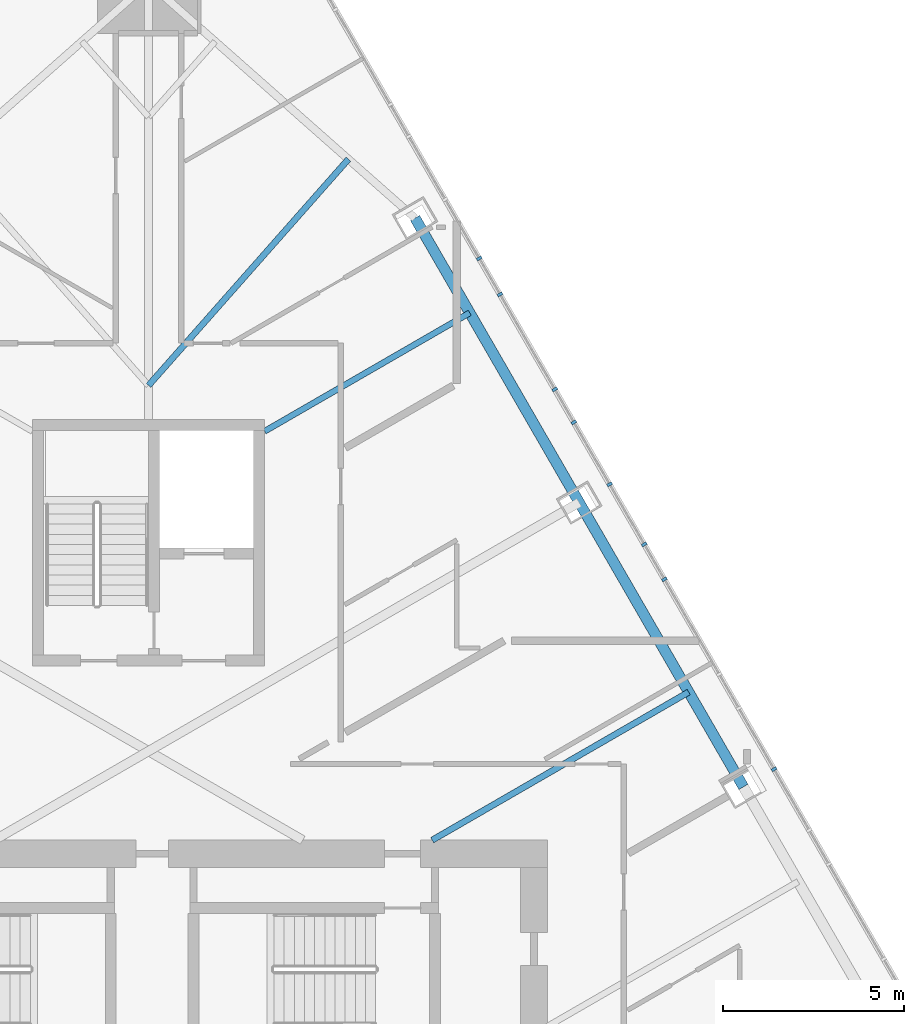
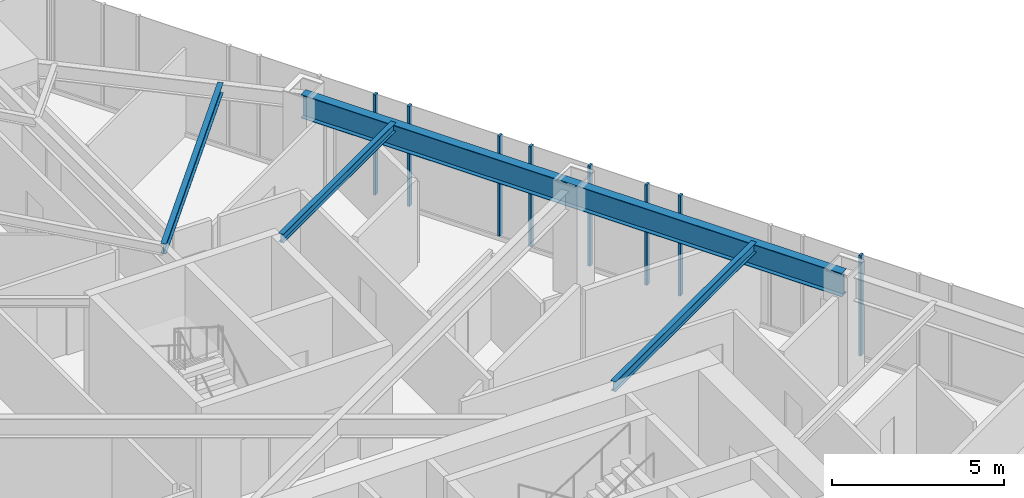
# One storey, part 11 of 32: 8 members, 4 beams, 1 element without a shape of its own.
"""IFC4 building model written with IfcOpenShell, lengths in metres."""

from ifc_helpers import new_model, si_unit, direction, frame, origin, origin_2d, place, context, subcontext, project, spatial, rectangle, i_section, extrude, material, layer, layer_set, material_profile, profile_set, type_object, element, aggregate, save


model = new_model("IFC4")

# Units and contexts
model_context = context("Model", 3, precision=1e-05, world=origin(), true_north=direction((0.0, 1.0)))
body_context = subcontext(model_context, "Body", "Model", "MODEL_VIEW")
ifc_project = project(units=[si_unit("LENGTHUNIT", "METRE"), si_unit("AREAUNIT", "SQUARE_METRE"), si_unit("VOLUMEUNIT", "CUBIC_METRE"), si_unit("PLANEANGLEUNIT", "RADIAN"), si_unit("MASSUNIT", "GRAM", prefix="KILO")], contexts=[model_context])

# Site, building, storey
site_placement = place(None, origin())
site = spatial("IfcSite", under=ifc_project, at=site_placement, CompositionType="ELEMENT")
building_placement = place(site_placement, origin())
building = spatial("IfcBuilding", under=site, at=building_placement, Name="Firuza Gate Tower and Library", CompositionType="ELEMENT")
storey_placement = place(building_placement, frame((0.0, 0.0, 163.60009765625)))
storey = spatial("IfcBuildingStorey", under=building, at=storey_placement, Name="L37", CompositionType="ELEMENT", Elevation=163.60009765625)

# Curtain wall, members
ifc_material_1 = material(Name="Aluminium 6063-T6", Category="aluminium")
ifc_layer = layer(ifc_material_1, 0.14990234375)
ifc_layer_set = layer_set([ifc_layer], Name="Unitised curtain wall, hotel")
curtain_wall_type = type_object("IfcCurtainWallType", Name="Unitised curtain wall, hotel", PredefinedType="NOTDEFINED", material=ifc_layer_set)
curtain_wall_placement = place(storey_placement, origin())
curtain_wall = element("IfcCurtainWall", 1, at=curtain_wall_placement, inside=storey, type_object=curtain_wall_type, Name="CW2 L37 E face", PredefinedType="NOTDEFINED")
ifc_material_2 = material(Name="Aluminium 6063-T6", Category="aluminium")
ifc_material_profile_1 = material_profile(ifc_material_2, rectangle(XDim=0.14990234375, YDim=0.080078125, at=origin_2d()))
ifc_profile_set_1 = profile_set([ifc_material_profile_1], Name="Aluminium 6063-T6")
member_type = type_object("IfcMemberType", Name="Curtain wall mullion 80x150", PredefinedType="MULLION", material=ifc_profile_set_1)
member_1_placement = place(storey_placement, frame((92.245849609375, 84.95703125, 0.14990234375), z_axis=(0.0, 0.0, 1.0), x_axis=(-0.866025403784, -0.5, 0.0)))
member_1 = element("IfcMember", 2, at=member_1_placement, type_object=member_type, Name="Mullion", PredefinedType="MULLION", context=body_context, shape_type="SweptSolid", body=[
    extrude(rectangle(XDim=0.14990234375, YDim=0.080078125, at=origin_2d()), origin(), (0.0, 0.0, 1.0), 3.550048828125),
])
member_2_placement = place(storey_placement, frame((89.22314453125, 90.192626953125, 0.14990234375), z_axis=(0.0, 0.0, 1.0), x_axis=(-0.866025403784, -0.5, 0.0)))
member_2 = element("IfcMember", 3, at=member_2_placement, type_object=member_type, Name="Mullion", PredefinedType="MULLION", context=body_context, shape_type="SweptSolid", body=[
    extrude(rectangle(XDim=0.14990234375, YDim=0.080078125, at=origin_2d()), origin(), (0.0, 0.0, 1.0), 3.550048828125),
])
member_3_placement = place(storey_placement, frame((87.711669921875, 92.810302734375, 0.14990234375), z_axis=(0.0, 0.0, 1.0), x_axis=(-0.866025403784, -0.5, 0.0)))
member_3 = element("IfcMember", 4, at=member_3_placement, type_object=member_type, Name="Mullion", PredefinedType="MULLION", context=body_context, shape_type="SweptSolid", body=[
    extrude(rectangle(XDim=0.14990234375, YDim=0.080078125, at=origin_2d()), origin(), (0.0, 0.0, 1.0), 3.550048828125),
])
member_4_placement = place(storey_placement, frame((86.2001953125, 95.42822265625, 0.14990234375), z_axis=(0.0, 0.0, 1.0), x_axis=(-0.866025403784, -0.5, 0.0)))
member_4 = element("IfcMember", 5, at=member_4_placement, type_object=member_type, Name="Mullion", PredefinedType="MULLION", context=body_context, shape_type="SweptSolid", body=[
    extrude(rectangle(XDim=0.14990234375, YDim=0.080078125, at=origin_2d()), origin(), (0.0, 0.0, 1.0), 3.550048828125),
])
member_5_placement = place(storey_placement, frame((84.68896484375, 98.046142578125, 0.14990234375), z_axis=(0.0, 0.0, 1.0), x_axis=(-0.866025403784, -0.5, 0.0)))
member_5 = element("IfcMember", 6, at=member_5_placement, type_object=member_type, Name="Mullion", PredefinedType="MULLION", context=body_context, shape_type="SweptSolid", body=[
    extrude(rectangle(XDim=0.14990234375, YDim=0.080078125, at=origin_2d()), origin(), (0.0, 0.0, 1.0), 3.550048828125),
])
member_6_placement = place(storey_placement, frame((88.666748046875, 91.156494140625, 0.14990234375), z_axis=(0.0, 0.0, 1.0), x_axis=(-0.866025403784, -0.5, 0.0)))
member_6 = element("IfcMember", 7, at=member_6_placement, type_object=member_type, Name="Mullion", PredefinedType="MULLION", context=body_context, shape_type="SweptSolid", body=[
    extrude(rectangle(XDim=0.14990234375, YDim=0.080078125, at=origin_2d()), origin(), (0.0, 0.0, 1.0), 3.550048828125),
])
member_7_placement = place(storey_placement, frame((86.72509765625, 94.51904296875, 0.14990234375), z_axis=(0.0, 0.0, 1.0), x_axis=(-0.866025403784, -0.5, 0.0)))
member_7 = element("IfcMember", 8, at=member_7_placement, type_object=member_type, Name="Mullion", PredefinedType="MULLION", context=body_context, shape_type="SweptSolid", body=[
    extrude(rectangle(XDim=0.14990234375, YDim=0.080078125, at=origin_2d()), origin(), (0.0, 0.0, 1.0), 3.550048828125),
])
member_8_placement = place(storey_placement, frame((84.11669921875, 99.037353515625, 0.14990234375), z_axis=(0.0, 0.0, 1.0), x_axis=(-0.866025403784, -0.5, 0.0)))
member_8 = element("IfcMember", 9, at=member_8_placement, type_object=member_type, Name="Mullion", PredefinedType="MULLION", context=body_context, shape_type="SweptSolid", body=[
    extrude(rectangle(XDim=0.14990234375, YDim=0.080078125, at=origin_2d()), origin(), (0.0, 0.0, 1.0), 3.550048828125),
])
aggregate(curtain_wall, [member_1, member_2, member_3, member_4, member_5, member_6, member_7, member_8])

# Beams
ifc_material_3 = material(Name="Steel S355", Category="steel")
ifc_material_profile_2 = material_profile(ifc_material_3, i_section(OverallWidth=0.1650390625, OverallDepth=0.31005859375, WebThickness=0.005859375, FlangeThickness=0.009765625, at=origin_2d()))
ifc_profile_set_2 = profile_set([ifc_material_profile_2], Name="Steel S355")
beam_type_1 = type_object("IfcBeamType", Name="W310x39 Floor beam", PredefinedType="JOIST", material=ifc_profile_set_2)
beam_1_placement = place(storey_placement, frame((83.8564453125, 97.537841796875, 3.544921875), z_axis=(-0.866019389049, -0.500010417683, 0.0), x_axis=(0.500010417683, -0.866019389049, 0.0)))
element("IfcBeam", 10, at=beam_1_placement, inside=storey, type_object=beam_type_1, Name="Floor beam L37 s55", PredefinedType="JOIST", context=body_context, shape_type="SweptSolid", body=[
    extrude(i_section(OverallWidth=0.1650390625, OverallDepth=0.31005859375, WebThickness=0.005859375, FlangeThickness=0.009765625, at=origin_2d()), origin(), (0.0, 0.0, 1.0), 6.531494140625),
])
ifc_material_4 = material(Name="Steel S355", Category="steel")
ifc_material_profile_3 = material_profile(ifc_material_4, i_section(OverallWidth=0.1708984375, OverallDepth=0.35498046875, WebThickness=0.007080078125, FlangeThickness=0.01171875, at=origin_2d()))
ifc_profile_set_3 = profile_set([ifc_material_profile_3], Name="Steel S355")
beam_type_2 = type_object("IfcBeamType", Name="W360x51 Floor beam", PredefinedType="JOIST", material=ifc_profile_set_3)
beam_2_placement = place(storey_placement, frame((89.892578125, 87.0830078125, 3.5224609375), z_axis=(-0.866034240187, -0.49998469459, 0.0), x_axis=(0.49998469459, -0.866034240187, 0.0)))
element("IfcBeam", 11, at=beam_2_placement, inside=storey, type_object=beam_type_2, Name="Floor beam L37 s53", PredefinedType="JOIST", context=body_context, shape_type="SweptSolid", body=[
    extrude(i_section(OverallWidth=0.1708984375, OverallDepth=0.35498046875, WebThickness=0.007080078125, FlangeThickness=0.01171875, at=origin_2d()), origin(), (0.0, 0.0, 1.0), 8.166259765625),
])
beam_3_placement = place(storey_placement, frame((80.5107421875, 101.774169921875, 3.5224609375), z_axis=(-0.662066797423, -0.749444831692, 0.0), x_axis=(0.749444831692, -0.662066797423, 0.0)))
element("IfcBeam", 12, at=beam_3_placement, inside=storey, type_object=beam_type_2, Name="Floor beam L37 s60", PredefinedType="JOIST", context=body_context, shape_type="SweptSolid", body=[
    extrude(i_section(OverallWidth=0.1708984375, OverallDepth=0.35498046875, WebThickness=0.007080078125, FlangeThickness=0.01171875, at=origin_2d()), origin(), (0.0, 0.0, 1.0), 8.323486328125),
])
ifc_material_5 = material(Name="Steel S355", Category="steel")
ifc_material_profile_4 = material_profile(ifc_material_5, i_section(OverallWidth=0.2919921875, OverallDepth=0.8349609375, WebThickness=0.013916015625, FlangeThickness=0.018798828125, at=origin_2d()))
ifc_profile_set_4 = profile_set([ifc_material_profile_4], Name="Steel S355")
beam_type_3 = type_object("IfcBeamType", Name="W840x176 Edge beam", PredefinedType="SPANDREL", material=ifc_profile_set_4)
beam_4_placement = place(storey_placement, frame((91.401611328125, 84.469482421875, 3.282470703125), z_axis=(-0.500000608324, 0.866025052568, 0.0), x_axis=(-0.866025052568, -0.500000608324, 0.0)))
element("IfcBeam", 13, at=beam_4_placement, inside=storey, type_object=beam_type_3, Name="Edge beam L37 e52", PredefinedType="SPANDREL", context=body_context, shape_type="SweptSolid", body=[
    extrude(i_section(OverallWidth=0.2919921875, OverallDepth=0.8349609375, WebThickness=0.013916015625, FlangeThickness=0.018798828125, at=origin_2d()), origin(), (0.0, 0.0, 1.0), 18.10791015625),
])

save(model, "model.ifc")
